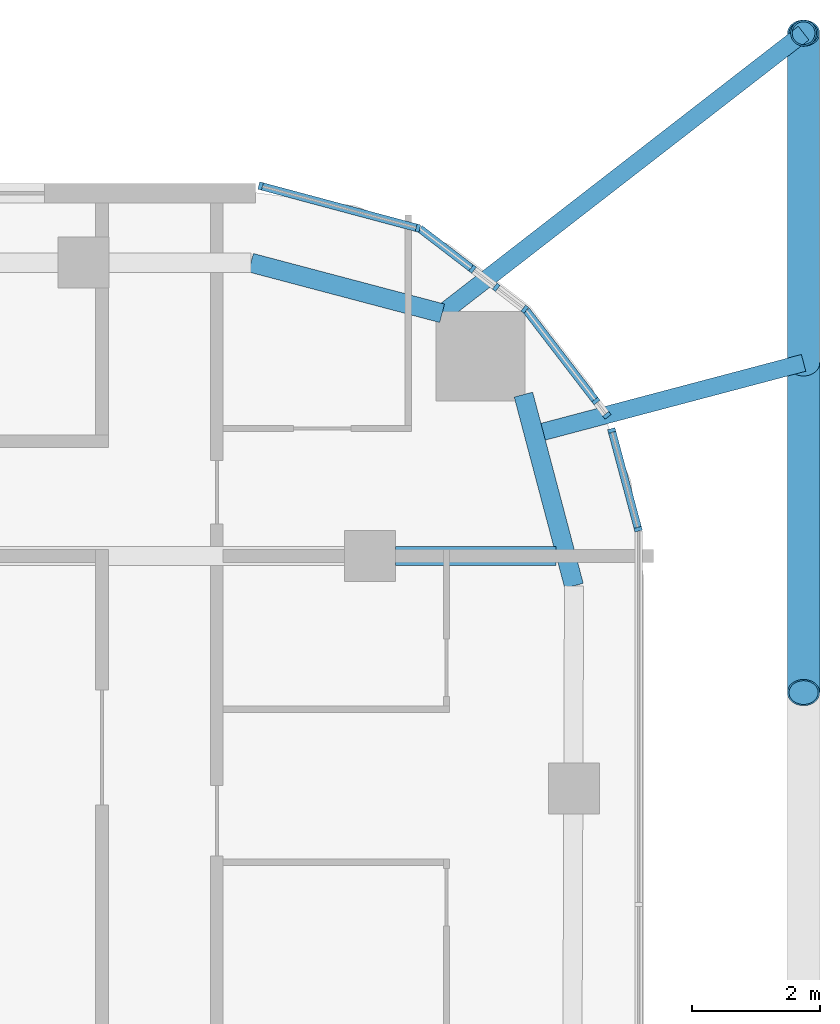
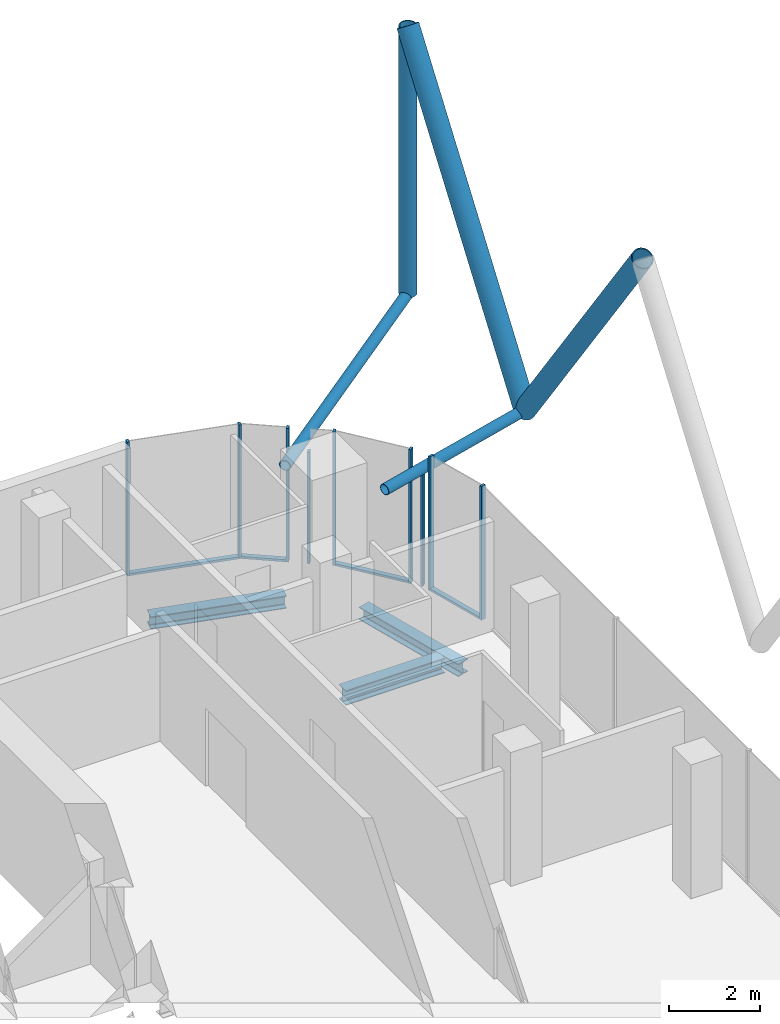
# One storey, part 11 of 31: 18 members, 3 beams, 7 elements without a shape of their own.
"""IFC4 building model written with IfcOpenShell, lengths in metres."""

from ifc_helpers import new_model, si_unit, direction, frame, origin, origin_2d, place, context, subcontext, project, spatial, rectangle, hollow_circle, i_section, extrude, material, layer, layer_set, material_profile, profile_set, type_object, element, aggregate, save


model = new_model("IFC4")

# Units and contexts
model_context = context("Model", 3, precision=1e-05, world=origin(), true_north=direction((0.0, 1.0)))
body_context = subcontext(model_context, "Body", "Model", "MODEL_VIEW")
ifc_project = project(units=[si_unit("LENGTHUNIT", "METRE"), si_unit("AREAUNIT", "SQUARE_METRE"), si_unit("VOLUMEUNIT", "CUBIC_METRE"), si_unit("PLANEANGLEUNIT", "RADIAN"), si_unit("MASSUNIT", "GRAM", prefix="KILO")], contexts=[model_context])

# Site, building, storey
site_placement = place(None, origin())
site = spatial("IfcSite", under=ifc_project, at=site_placement, CompositionType="ELEMENT")
building_placement = place(site_placement, origin())
building = spatial("IfcBuilding", under=site, at=building_placement, Name="Marenta Gate Hotel Tower", CompositionType="ELEMENT")
storey_placement = place(building_placement, frame((0.0, 0.0, 220.10009765625)))
storey = spatial("IfcBuildingStorey", under=building, at=storey_placement, Name="L51", CompositionType="ELEMENT", Elevation=220.10009765625)

# Members
ifc_material_1 = material(Name="Steel S355J2W", Category="steel")
ifc_material_profile_1 = material_profile(ifc_material_1, hollow_circle(Radius=0.203125, WallThickness=0.02490234375, at=origin_2d()), Name="CHS 406.4x25")
ifc_profile_set_1 = profile_set([ifc_material_profile_1], Name="Steel S355J2W")
member_type_1 = type_object("IfcMemberType", Name="Diagrid corner post Z3 CHS 406.4x25", PredefinedType="POST", material=ifc_profile_set_1)
member_1_placement = place(storey_placement, frame((27.800048828125, 25.0, 3.139892578125), z_axis=(0.0, 0.0, 1.0), x_axis=(1.0, 0.0, 0.0)))
element("IfcMember", 1, at=member_1_placement, inside=storey, type_object=member_type_1, Name="L51-DR-1", PredefinedType="POST", context=body_context, shape_type="SweptSolid", body=[
    extrude(hollow_circle(Radius=0.203125, WallThickness=0.02490234375, at=origin_2d()), origin(), (0.0, 0.0, 1.0), 7.199951171875),
])
ifc_material_2 = material(Name="Steel S355J2W", Category="steel")
ifc_material_profile_2 = material_profile(ifc_material_2, hollow_circle(Radius=0.25390625, WallThickness=0.02490234375, at=origin_2d()), Name="CHS 508x25")
ifc_profile_set_2 = profile_set([ifc_material_profile_2], Name="Steel S355J2W")
member_type_2 = type_object("IfcMemberType", Name="Diagrid diagonal Z3 CHS 508x25", PredefinedType="BRACE", material=ifc_profile_set_2)
member_2_placement = place(storey_placement, frame((27.800048828125, 19.830078125, 3.139892578125), z_axis=(0.0, 0.583260841117, 0.812284919975), x_axis=(-1.0, 0.0, 0.0)))
element("IfcMember", 2, at=member_2_placement, inside=storey, type_object=member_type_2, Name="L51-DG-1", PredefinedType="BRACE", context=body_context, shape_type="SweptSolid", body=[
    extrude(hollow_circle(Radius=0.25390625, WallThickness=0.02490234375, at=origin_2d()), origin(), (0.0, 0.0, 1.0), 8.86376953125),
])
member_3_placement = place(storey_placement, frame((27.800048828125, 19.830078125, 3.139892578125), z_axis=(0.0, -0.583279014058, 0.812271870595), x_axis=(1.0, 0.0, 0.0)))
element("IfcMember", 3, at=member_3_placement, inside=storey, type_object=member_type_2, Name="L51-DG-2", PredefinedType="BRACE", context=body_context, shape_type="SweptSolid", body=[
    extrude(hollow_circle(Radius=0.25390625, WallThickness=0.02490234375, at=origin_2d()), origin(), (0.0, 0.0, 1.0), 8.864013671875),
])

# Beams
ifc_material_3 = material(Name="Steel S355", Category="steel")
ifc_material_profile_3 = material_profile(ifc_material_3, i_section(OverallWidth=0.300048828125, OverallDepth=0.340087890625, WebThickness=0.011962890625, FlangeThickness=0.021484375, FilletRadius=0.027099609375, at=origin_2d()), Name="HEB 340")
ifc_profile_set_3 = profile_set([ifc_material_profile_3], Name="Steel S355")
beam_type_1 = type_object("IfcBeamType", Name="Edge beam HEB 340", PredefinedType="SPANDREL", material=ifc_profile_set_3)
beam_1_placement = place(storey_placement, frame((19.134521484375, 21.39990234375, -0.43017578125), z_axis=(0.9667647815, -0.25566747398, 0.0), x_axis=(0.25566747398, 0.9667647815, 0.0)))
element("IfcBeam", 4, at=beam_1_placement, inside=storey, type_object=beam_type_1, Name="L51-EB-20", PredefinedType="SPANDREL", context=body_context, shape_type="SweptSolid", body=[
    extrude(i_section(OverallWidth=0.300048828125, OverallDepth=0.340087890625, WebThickness=0.011962890625, FlangeThickness=0.021484375, FilletRadius=0.027099609375, at=origin_2d()), origin(), (0.0, 0.0, 1.0), 3.1005859375),
])
beam_2_placement = place(storey_placement, frame((23.4072265625, 19.332275390625, -0.43017578125), z_axis=(0.255648013319, -0.966769927794, 0.0), x_axis=(0.966769927794, 0.255648013319, 0.0)))
element("IfcBeam", 5, at=beam_2_placement, inside=storey, type_object=beam_type_1, Name="L51-EB-21", PredefinedType="SPANDREL", context=body_context, shape_type="SweptSolid", body=[
    extrude(i_section(OverallWidth=0.300048828125, OverallDepth=0.340087890625, WebThickness=0.011962890625, FlangeThickness=0.021484375, FilletRadius=0.027099609375, at=origin_2d()), origin(), (0.0, 0.0, 1.0), 3.100830078125),
])

# Members
ifc_material_4 = material(Name="Steel S355J2W", Category="steel")
ifc_material_profile_4 = material_profile(ifc_material_4, hollow_circle(Radius=0.136474609375, WallThickness=0.012451171875, at=origin_2d()), Name="CHS 273x12.5")
ifc_profile_set_4 = profile_set([ifc_material_profile_4], Name="Steel S355J2W")
member_type_3 = type_object("IfcMemberType", Name="Floor tie CHS 273x12.5", PredefinedType="STRUT", material=ifc_profile_set_4)
member_4_placement = place(storey_placement, frame((27.800048828125, 25.0, 3.139892578125), z_axis=(-0.790398962363, -0.61259242592, 0.0), x_axis=(0.61259242592, -0.790398962363, 0.0)))
element("IfcMember", 6, at=member_4_placement, inside=storey, type_object=member_type_3, Name="L51-DR-7", PredefinedType="STRUT", context=body_context, shape_type="SweptSolid", body=[
    extrude(hollow_circle(Radius=0.136474609375, WallThickness=0.012451171875, at=origin_2d()), origin(), (0.0, 0.0, 1.0), 7.163330078125),
])
member_5_placement = place(storey_placement, frame((27.800048828125, 19.830078125, 3.139892578125), z_axis=(-0.966769042409, -0.255651361506, 0.0), x_axis=(0.255651361506, -0.966769042409, 0.0)))
element("IfcMember", 7, at=member_5_placement, inside=storey, type_object=member_type_3, Name="L51-DR-8", PredefinedType="STRUT", context=body_context, shape_type="SweptSolid", body=[
    extrude(hollow_circle(Radius=0.136474609375, WallThickness=0.012451171875, at=origin_2d()), origin(), (0.0, 0.0, 1.0), 4.3681640625),
])

# Beam
ifc_material_5 = material(Name="Steel S355", Category="steel")
ifc_material_profile_5 = material_profile(ifc_material_5, i_section(OverallWidth=0.300048828125, OverallDepth=0.39990234375, WebThickness=0.013427734375, FlangeThickness=0.02392578125, FilletRadius=0.027099609375, at=origin_2d()), Name="HEB 400")
ifc_profile_set_5 = profile_set([ifc_material_profile_5], Name="Steel S355")
beam_type_2 = type_object("IfcBeamType", Name="Girder HEB 400", PredefinedType="BEAM", material=ifc_profile_set_5)
beam_3_placement = place(storey_placement, frame((21.39990234375, 16.800048828125, -0.460205078125), z_axis=(1.0, 0.0, 0.0), x_axis=(0.0, 1.0, 0.0)))
element("IfcBeam", 8, at=beam_3_placement, inside=storey, type_object=beam_type_2, Name="L51-GD-33", PredefinedType="BEAM", context=body_context, shape_type="SweptSolid", body=[
    extrude(i_section(OverallWidth=0.300048828125, OverallDepth=0.39990234375, WebThickness=0.013427734375, FlangeThickness=0.02392578125, FilletRadius=0.027099609375, at=origin_2d()), origin(), (0.0, 0.0, 1.0), 2.521728515625),
])

# Curtain wall, members
ifc_material_6 = material(Name="Tinted insulated glass in bronze anodised frame", Category="glass")
ifc_layer = layer(ifc_material_6, 0.1201171875)
ifc_layer_set = layer_set([ifc_layer], Name="Tinted insulated glass in bronze anodised frame")
curtain_wall_type = type_object("IfcCurtainWallType", Name="Tower unitised curtain wall CW1", PredefinedType="NOTDEFINED", material=ifc_layer_set)
curtain_wall_1_placement = place(storey_placement, origin())
curtain_wall_1 = element("IfcCurtainWall", 9, at=curtain_wall_1_placement, inside=storey, type_object=curtain_wall_type, Name="CW1 run G35", PredefinedType="NOTDEFINED")
ifc_material_7 = material(Name="Bronze anodised aluminium", Category="aluminium")
ifc_material_profile_6 = material_profile(ifc_material_7, rectangle(XDim=0.1201171875, YDim=0.06005859375, at=origin_2d()), Name="Mullion CW1 60x120 bronze anodised aluminium")
ifc_profile_set_6 = profile_set([ifc_material_profile_6], Name="Bronze anodised aluminium")
member_type_4 = type_object("IfcMemberType", Name="Mullion CW1 60x120 bronze anodised aluminium", PredefinedType="MULLION", material=ifc_profile_set_6)
member_6_placement = place(storey_placement, frame((25.206298828125, 17.220947265625, 0.0), z_axis=(0.0, 0.0, 1.0), x_axis=(-0.965922818295, -0.25883027083, 0.0)))
member_6 = element("IfcMember", 10, at=member_6_placement, type_object=member_type_4, Name="CW1 mullion 1", PredefinedType="MULLION", context=body_context, shape_type="SweptSolid", body=[
    extrude(rectangle(XDim=0.1201171875, YDim=0.06005859375, at=origin_2d()), origin(), (0.0, 0.0, 1.0), 3.599853515625),
])
member_7_placement = place(storey_placement, frame((24.791259765625, 18.76904296875, 0.0), z_axis=(0.0, 0.0, 1.0), x_axis=(-0.965922818295, -0.25883027083, 0.0)))
member_7 = element("IfcMember", 11, at=member_7_placement, type_object=member_type_4, Name="CW1 mullion 2", PredefinedType="MULLION", context=body_context, shape_type="SweptSolid", body=[
    extrude(rectangle(XDim=0.1201171875, YDim=0.06005859375, at=origin_2d()), origin(), (0.0, 0.0, 1.0), 3.599853515625),
])

# Curtain wall, member
curtain_wall_2_placement = place(storey_placement, origin())
curtain_wall_2 = element("IfcCurtainWall", 12, at=curtain_wall_2_placement, inside=storey, type_object=curtain_wall_type, Name="CW1 run G36", PredefinedType="NOTDEFINED")
member_8_placement = place(storey_placement, frame((24.7158203125, 19.00634765625, 0.0), z_axis=(0.0, 0.0, 1.0), x_axis=(-0.793317236047, -0.608808478087, 0.0)))
member_8 = element("IfcMember", 13, at=member_8_placement, type_object=member_type_4, Name="CW1 mullion 1", PredefinedType="MULLION", context=body_context, shape_type="SweptSolid", body=[
    extrude(rectangle(XDim=0.1201171875, YDim=0.06005859375, at=origin_2d()), origin(), (0.0, 0.0, 1.0), 3.00048828125),
])
aggregate(curtain_wall_2, [member_8])

curtain_wall_3_placement = place(storey_placement, origin())
curtain_wall_3 = element("IfcCurtainWall", 14, at=curtain_wall_3_placement, inside=storey, type_object=curtain_wall_type, Name="CW1 run G37", PredefinedType="NOTDEFINED")
member_9_placement = place(storey_placement, frame((24.54296875, 19.231689453125, 0.0), z_axis=(0.0, 0.0, 1.0), x_axis=(-0.79333584573, -0.608784227687, 0.0)))
member_9 = element("IfcMember", 15, at=member_9_placement, type_object=member_type_4, Name="CW1 mullion 1", PredefinedType="MULLION", context=body_context, shape_type="SweptSolid", body=[
    extrude(rectangle(XDim=0.1201171875, YDim=0.06005859375, at=origin_2d()), origin(), (0.0, 0.0, 1.0), 3.599853515625),
])

curtain_wall_4_placement = place(storey_placement, origin())
curtain_wall_4 = element("IfcCurtainWall", 16, at=curtain_wall_4_placement, inside=storey, type_object=curtain_wall_type, Name="CW1 run G38", PredefinedType="NOTDEFINED")
member_10_placement = place(storey_placement, frame((23.4287109375, 20.6708984375, 0.0), z_axis=(0.0, 0.0, 1.0), x_axis=(-0.608769572677, -0.793347091368, 0.0)))
member_10 = element("IfcMember", 17, at=member_10_placement, type_object=member_type_4, Name="CW1 mullion 1", PredefinedType="MULLION", context=body_context, shape_type="SweptSolid", body=[
    extrude(rectangle(XDim=0.1201171875, YDim=0.06005859375, at=origin_2d()), origin(), (0.0, 0.0, 1.0), 3.599853515625),
])
aggregate(curtain_wall_4, [member_10])

curtain_wall_5_placement = place(storey_placement, origin())
curtain_wall_5 = element("IfcCurtainWall", 18, at=curtain_wall_5_placement, inside=storey, type_object=curtain_wall_type, Name="CW1 run G39", PredefinedType="NOTDEFINED")
member_11_placement = place(storey_placement, frame((22.98046875, 21.014892578125, 0.0), z_axis=(0.0, 0.0, 1.0), x_axis=(-0.608843780404, -0.793290143052, 0.0)))
member_11 = element("IfcMember", 19, at=member_11_placement, type_object=member_type_4, Name="CW1 mullion 1", PredefinedType="MULLION", context=body_context, shape_type="SweptSolid", body=[
    extrude(rectangle(XDim=0.1201171875, YDim=0.06005859375, at=origin_2d()), origin(), (0.0, 0.0, 1.0), 3.00048828125),
])
aggregate(curtain_wall_5, [member_11])

curtain_wall_6_placement = place(storey_placement, origin())
curtain_wall_6 = element("IfcCurtainWall", 20, at=curtain_wall_6_placement, inside=storey, type_object=curtain_wall_type, Name="CW1 run G40", PredefinedType="NOTDEFINED")
member_12_placement = place(storey_placement, frame((22.60888671875, 21.300048828125, 0.0), z_axis=(0.0, 0.0, 1.0), x_axis=(-0.60877235005, -0.793344960162, 0.0)))
member_12 = element("IfcMember", 21, at=member_12_placement, type_object=member_type_4, Name="CW1 mullion 1", PredefinedType="MULLION", context=body_context, shape_type="SweptSolid", body=[
    extrude(rectangle(XDim=0.1201171875, YDim=0.06005859375, at=origin_2d()), origin(), (0.0, 0.0, 1.0), 3.599853515625),
])

# Curtain wall, members
curtain_wall_7_placement = place(storey_placement, origin())
curtain_wall_7 = element("IfcCurtainWall", 22, at=curtain_wall_7_placement, inside=storey, type_object=curtain_wall_type, Name="CW1 run G41", PredefinedType="NOTDEFINED")
member_13_placement = place(storey_placement, frame((21.75341796875, 21.94189453125, 0.0), z_axis=(0.0, 0.0, 1.0), x_axis=(-0.258804895175, -0.96592961764, 0.0)))
member_13 = element("IfcMember", 23, at=member_13_placement, type_object=member_type_4, Name="CW1 mullion 1", PredefinedType="MULLION", context=body_context, shape_type="SweptSolid", body=[
    extrude(rectangle(XDim=0.1201171875, YDim=0.06005859375, at=origin_2d()), origin(), (0.0, 0.0, 1.0), 3.599853515625),
])
member_14_placement = place(storey_placement, frame((19.285400390625, 22.603271484375, 0.0), z_axis=(0.0, 0.0, 1.0), x_axis=(-0.258804895175, -0.96592961764, 0.0)))
member_14 = element("IfcMember", 24, at=member_14_placement, type_object=member_type_4, Name="CW1 mullion 2", PredefinedType="MULLION", context=body_context, shape_type="SweptSolid", body=[
    extrude(rectangle(XDim=0.1201171875, YDim=0.06005859375, at=origin_2d()), origin(), (0.0, 0.0, 1.0), 3.599853515625),
])

# Member
ifc_material_8 = material(Name="Bronze anodised aluminium", Category="aluminium")
ifc_material_profile_7 = material_profile(ifc_material_8, rectangle(XDim=0.1201171875, YDim=0.06005859375, at=origin_2d()), Name="Transom CW1 60x120 bronze anodised aluminium")
ifc_profile_set_7 = profile_set([ifc_material_profile_7], Name="Bronze anodised aluminium")
member_type_5 = type_object("IfcMemberType", Name="Transom CW1 60x120 bronze anodised aluminium", PredefinedType="USERDEFINED", material=ifc_profile_set_7)
member_15_placement = place(storey_placement, frame((25.198486328125, 17.249755859375, 0.02978515625), z_axis=(-0.258844166869, 0.965919094582, 0.0), x_axis=(-0.965919094582, -0.258844166869, 0.0)))
member_15 = element("IfcMember", 25, at=member_15_placement, type_object=member_type_5, Name="CW1 transom 1.1", ObjectType="TRANSOM", PredefinedType="USERDEFINED", context=body_context, shape_type="SweptSolid", body=[
    extrude(rectangle(XDim=0.1201171875, YDim=0.06005859375, at=origin_2d()), origin(), (0.0, 0.0, 1.0), 1.54296875),
])

aggregate(curtain_wall_1, [member_6, member_7, member_15])

member_16_placement = place(storey_placement, frame((24.524658203125, 19.25537109375, 0.02978515625), z_axis=(-0.608725448508, 0.793380947804, 0.0), x_axis=(-0.793380947804, -0.608725448508, 0.0)))
member_16 = element("IfcMember", 26, at=member_16_placement, type_object=member_type_5, Name="CW1 transom 1.1", ObjectType="TRANSOM", PredefinedType="USERDEFINED", context=body_context, shape_type="SweptSolid", body=[
    extrude(rectangle(XDim=0.1201171875, YDim=0.06005859375, at=origin_2d()), origin(), (0.0, 0.0, 1.0), 1.760986328125),
])

aggregate(curtain_wall_3, [member_9, member_16])

member_17_placement = place(storey_placement, frame((22.585205078125, 21.318359375, 0.02978515625), z_axis=(-0.793466512091, 0.608613912255, 0.0), x_axis=(-0.608613912255, -0.793466512091, 0.0)))
member_17 = element("IfcMember", 27, at=member_17_placement, type_object=member_type_5, Name="CW1 transom 1.1", ObjectType="TRANSOM", PredefinedType="USERDEFINED", context=body_context, shape_type="SweptSolid", body=[
    extrude(rectangle(XDim=0.1201171875, YDim=0.06005859375, at=origin_2d()), origin(), (0.0, 0.0, 1.0), 1.01171875),
])

aggregate(curtain_wall_6, [member_12, member_17])

member_18_placement = place(storey_placement, frame((21.724609375, 21.94970703125, 0.02978515625), z_axis=(-0.965930582093, 0.258801295547, 0.0), x_axis=(-0.258801295547, -0.965930582093, 0.0)))
member_18 = element("IfcMember", 28, at=member_18_placement, type_object=member_type_5, Name="CW1 transom 1.1", ObjectType="TRANSOM", PredefinedType="USERDEFINED", context=body_context, shape_type="SweptSolid", body=[
    extrude(rectangle(XDim=0.1201171875, YDim=0.06005859375, at=origin_2d()), origin(), (0.0, 0.0, 1.0), 2.4951171875),
])

aggregate(curtain_wall_7, [member_13, member_14, member_18])

save(model, "model.ifc")
